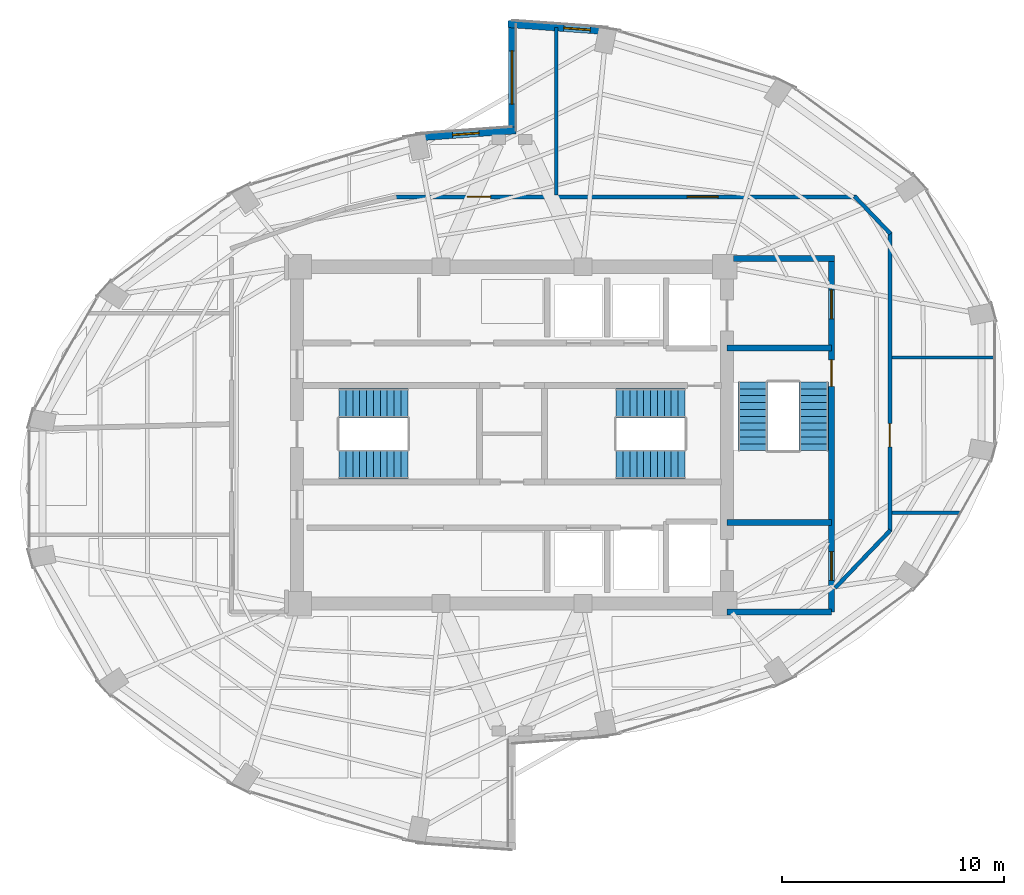
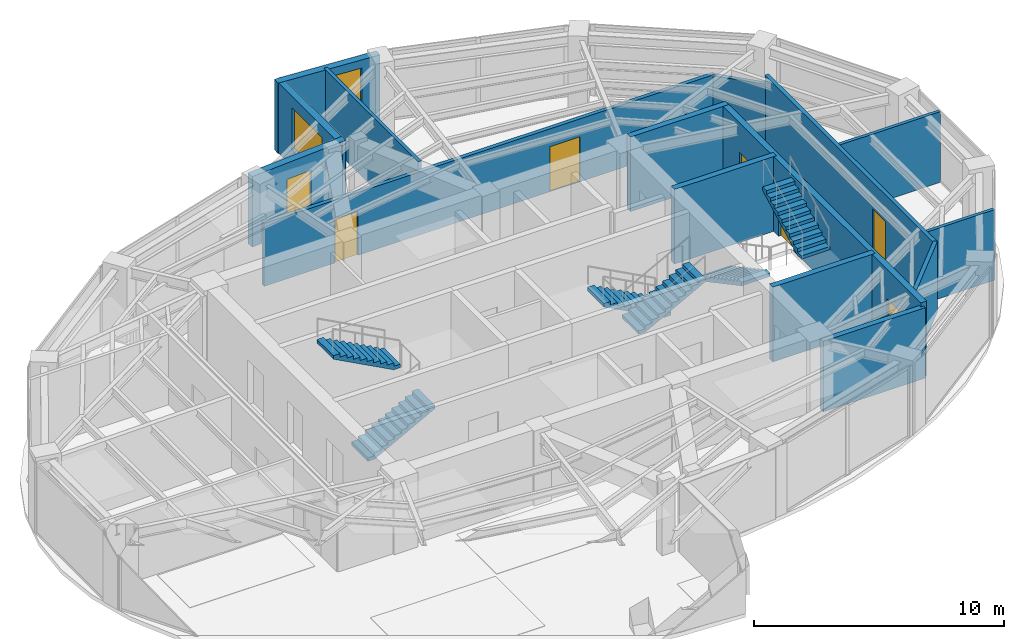
# One storey, part 20 of 22: 15 walls, 6 doors, 6 stair flights, 3 windows, 9 openings, 3 elements without a shape of their own.
"""IFC4 building model written with IfcOpenShell, lengths in metres."""

from ifc_helpers import new_model, si_unit, direction, frame, frame_2d, origin, place, context, subcontext, project, spatial, polyline, rectangle, outline, extrude, material, layer, layer_set, type_object, element, fill, aggregate, save


model = new_model("IFC4")

# Units and contexts
model_context = context("Model", 3, precision=1e-05, world=origin(), true_north=direction((0.0, 1.0)))
body_context = subcontext(model_context, "Body", "Model", "MODEL_VIEW")
ifc_project = project(units=[si_unit("LENGTHUNIT", "METRE"), si_unit("AREAUNIT", "SQUARE_METRE"), si_unit("VOLUMEUNIT", "CUBIC_METRE"), si_unit("PLANEANGLEUNIT", "RADIAN"), si_unit("MASSUNIT", "GRAM", prefix="KILO")], contexts=[model_context])

# Site, building, storey
site_placement = place(None, origin())
site = spatial("IfcSite", under=ifc_project, at=site_placement, CompositionType="ELEMENT")
building_placement = place(site_placement, origin())
building = spatial("IfcBuilding", under=site, at=building_placement, Name="Lazwardi Medical Tower", CompositionType="ELEMENT")
storey_placement = place(building_placement, frame((0.0, 0.0, 227.6640625)))
storey = spatial("IfcBuildingStorey", under=building, at=storey_placement, Name="L59", CompositionType="ELEMENT", Elevation=227.6640625)

# Wall, openings, doors
ifc_material_1 = material(Name="Fire-rated gypsum board on steel stud", Category="steel")
ifc_layer_1 = layer(ifc_material_1, 0.179931640625)
ifc_layer_set_1 = layer_set([ifc_layer_1], Name="Fire-rated gypsum board on steel stud")
wall_type_1 = type_object("IfcWallType", Name="WL-COR-180", PredefinedType="PARTITIONING", material=ifc_layer_set_1)
wall_1_placement = place(storey_placement, frame((30.709716796875, 38.75, 0.0), z_axis=(0.0, 0.0, 1.0), x_axis=(1.0, 0.0, 0.0)))
wall_1 = element("IfcWall", 1, at=wall_1_placement, inside=storey, type_object=wall_type_1, Name="L59 Corridor partition 3", PredefinedType="PARTITIONING", context=body_context, shape_type="SweptSolid", body=[
    extrude(rectangle(XDim=20.8154296875, YDim=0.179931640625, at=frame_2d((10.40771484375, 0.0))), origin(), (0.0, 0.0, 1.0), 3.072998046875),
])
opening_1_placement = place(wall_1_placement, frame((13.19384765625, 0.0, 0.0)))
opening_1 = element("IfcOpeningElement", 2, at=opening_1_placement, cuts=wall_1, Name="Opening D-L59-013", PredefinedType="OPENING", context=body_context, shape_type="SweptSolid", body=[
    extrude(rectangle(XDim=1.39990234375, YDim=2.199951171875, at=frame_2d((0.699951171875, 1.10009765625))), frame((0.0, 0.099853515625, 0.0), z_axis=(0.0, -1.0, 0.0), x_axis=(1.0, 0.0, 0.0)), (0.0, 0.0, 1.0), 0.199951171875),
])
opening_2_placement = place(wall_1_placement, frame((3.279052734375, 0.0, 0.0)))
opening_2 = element("IfcOpeningElement", 3, at=opening_2_placement, cuts=wall_1, Name="Opening D-L59-014", PredefinedType="OPENING", context=body_context, shape_type="SweptSolid", body=[
    extrude(rectangle(XDim=1.050048828125, YDim=2.14990234375, at=frame_2d((0.52490234375, 1.074951171875))), frame((0.0, 0.099853515625, 0.0), z_axis=(0.0, -1.0, 0.0), x_axis=(1.0, 0.0, 0.0)), (0.0, 0.0, 1.0), 0.199951171875),
])
ifc_material_2 = material(Name="Anti-microbial laminate hospital leaf")
door_type_1 = type_object("IfcDoorType", Name="DR-BED-1400", OperationType="NOTDEFINED", PredefinedType="DOOR", material=ifc_material_2)
door_1_placement = place(opening_1_placement, origin())
door_1 = element("IfcDoor", 4, at=door_1_placement, inside=storey, type_object=door_type_1, Name="L59 Patient Day Lounge Door 04", OperationType="SINGLE_SWING_RIGHT", OverallHeight=2.199951171875, OverallWidth=1.39990234375, PredefinedType="DOOR", context=body_context, shape_type="SweptSolid", body=[
    extrude(rectangle(XDim=1.39990234375, YDim=2.199951171875, at=frame_2d((0.699951171875, 1.10009765625))), frame((0.0, 0.02490234375, 0.0), z_axis=(0.0, -1.0, 0.0), x_axis=(1.0, 0.0, 0.0)), (0.0, 0.0, 1.0), 0.050048828125),
])
fill(opening_1, door_1)
door_type_2 = type_object("IfcDoorType", Name="DR-CLN-1050", OperationType="NOTDEFINED", PredefinedType="DOOR", material=ifc_material_2)
door_2_placement = place(opening_2_placement, origin())
door_2 = element("IfcDoor", 5, at=door_2_placement, inside=storey, type_object=door_type_2, Name="L59 Clinical Specialist Office Door 05", OperationType="SINGLE_SWING_LEFT", OverallHeight=2.14990234375, OverallWidth=1.050048828125, PredefinedType="DOOR", context=body_context, shape_type="SweptSolid", body=[
    extrude(rectangle(XDim=1.050048828125, YDim=2.14990234375, at=frame_2d((0.52490234375, 1.074951171875))), frame((0.0, 0.02490234375, 0.0), z_axis=(0.0, -1.0, 0.0), x_axis=(1.0, 0.0, 0.0)), (0.0, 0.0, 1.0), 0.050048828125),
])
fill(opening_2, door_2)

# Wall
wall_2_placement = place(storey_placement, frame((51.45751953125, 38.77880859375, 0.0), z_axis=(0.0, 0.0, 1.0), x_axis=(0.691359830363, -0.722510612352, 0.0)))
element("IfcWall", 6, at=wall_2_placement, inside=storey, type_object=wall_type_1, Name="L59 Corridor partition 4", PredefinedType="PARTITIONING", context=body_context, shape_type="SweptSolid", body=[
    extrude(rectangle(XDim=2.34326171875, YDim=0.179931640625, at=frame_2d((1.171630859375, 0.0))), origin(), (0.0, 0.0, 1.0), 3.032958984375),
])

# Wall, opening, door
wall_3_placement = place(storey_placement, frame((53.050048828125, 37.154541015625, 0.0), z_axis=(0.0, 0.0, 1.0), x_axis=(0.0, -1.0, 0.0)))
wall_3 = element("IfcWall", 7, at=wall_3_placement, inside=storey, type_object=wall_type_1, Name="L59 Corridor partition 5", PredefinedType="PARTITIONING", context=body_context, shape_type="SweptSolid", body=[
    extrude(rectangle(XDim=13.509033203125, YDim=0.179931640625, at=frame_2d((6.75439453125, 0.0))), origin(), (0.0, 0.0, 1.0), 3.447998046875),
])
opening_3_placement = place(wall_3_placement, frame((8.62939453125, 0.0, 0.0)))
opening_3 = element("IfcOpeningElement", 8, at=opening_3_placement, cuts=wall_3, Name="Opening D-L59-012", PredefinedType="OPENING", context=body_context, shape_type="SweptSolid", body=[
    extrude(rectangle(XDim=1.050048828125, YDim=2.14990234375, at=frame_2d((0.52490234375, 1.074951171875))), frame((0.0, 0.099853515625, 0.0), z_axis=(0.0, -1.0, 0.0), x_axis=(1.0, 0.0, 0.0)), (0.0, 0.0, 1.0), 0.199951171875),
])
door_3_placement = place(opening_3_placement, origin())
door_3 = element("IfcDoor", 9, at=door_3_placement, inside=storey, type_object=door_type_2, Name="L59 Outpatient Clinic Door 03", OperationType="SINGLE_SWING_LEFT", OverallHeight=2.14990234375, OverallWidth=1.050048828125, PredefinedType="DOOR", context=body_context, shape_type="SweptSolid", body=[
    extrude(rectangle(XDim=1.050048828125, YDim=2.14990234375, at=frame_2d((0.52490234375, 1.074951171875))), frame((0.0, 0.02490234375, 0.0), z_axis=(0.0, -1.0, 0.0), x_axis=(1.0, 0.0, 0.0)), (0.0, 0.0, 1.0), 0.050048828125),
])
fill(opening_3, door_3)

# Wall
wall_4_placement = place(storey_placement, frame((53.07763671875, 23.71435546875, 0.0), z_axis=(0.0, 0.0, 1.0), x_axis=(-0.691353379446, -0.722516785085, 0.0)))
element("IfcWall", 10, at=wall_4_placement, inside=storey, type_object=wall_type_1, Name="L59 Corridor partition 6", PredefinedType="PARTITIONING", context=body_context, shape_type="SweptSolid", body=[
    extrude(rectangle(XDim=3.603759765625, YDim=0.179931640625, at=frame_2d((1.8017578125, 0.0))), origin(), (0.0, 0.0, 1.0), 3.447998046875),
])

# Wall, opening, window
ifc_material_3 = material(Name="Precast concrete C45/55", Category="concrete")
ifc_layer_2 = layer(ifc_material_3, 0.320068359375)
ifc_layer_set_2 = layer_set([ifc_layer_2], Name="Precast concrete C45/55")
wall_type_2 = type_object("IfcWallType", Name="WL-IWAN-320", PredefinedType="SOLIDWALL", material=ifc_layer_set_2)
wall_5_placement = place(storey_placement, frame((40.349609375, 46.226318359375, 0.0), z_axis=(0.0, 0.0, 1.0), x_axis=(-0.997409061056, 0.071938619141, 0.0)))
wall_5 = element("IfcWall", 11, at=wall_5_placement, inside=storey, type_object=wall_type_2, Name="L59 Iwan Portal Return Wall NE_ret", PredefinedType="SOLIDWALL", context=body_context, shape_type="SweptSolid", body=[
    extrude(rectangle(XDim=4.540771484375, YDim=0.320068359375, at=frame_2d((2.2705078125, 0.0))), origin(), (0.0, 0.0, 1.0), 3.447998046875),
])
opening_4_placement = place(wall_5_placement, frame((0.814697265625, 0.0, 0.85009765625)))
opening_4 = element("IfcOpeningElement", 12, at=opening_4_placement, cuts=wall_5, Name="Opening WN-01", PredefinedType="OPENING", context=body_context, shape_type="SweptSolid", body=[
    extrude(rectangle(XDim=1.199951171875, YDim=2.199951171875, at=frame_2d((0.60009765625, 1.10009765625))), frame((0.0, 0.169921875, 0.0), z_axis=(0.0, -1.0, 0.0), x_axis=(1.0, 0.0, 0.0)), (0.0, 0.0, 1.0), 0.340087890625),
])
ifc_material_4 = material(Name="Low-e bronze solar control double glazing", Category="glass")
window_type_1 = type_object("IfcWindowType", Name="WIN-IW-1200", PartitioningType="SINGLE_PANEL", PredefinedType="WINDOW", material=ifc_material_4)
window_1_placement = place(opening_4_placement, origin())
window_1 = element("IfcWindow", 13, at=window_1_placement, inside=storey, type_object=window_type_1, Name="L59 Iwan Slot Window NE_ret", OverallHeight=2.199951171875, OverallWidth=1.199951171875, PartitioningType="SINGLE_PANEL", PredefinedType="WINDOW", context=body_context, shape_type="SweptSolid", body=[
    extrude(rectangle(XDim=1.199951171875, YDim=2.199951171875, at=frame_2d((0.60009765625, 1.10009765625))), frame((0.0, 0.030029296875, 0.0), z_axis=(0.0, -1.0, 0.0), x_axis=(1.0, 0.0, 0.0)), (0.0, 0.0, 1.0), 0.06005859375),
])
fill(opening_4, window_1)

wall_6_placement = place(storey_placement, frame((36.17919921875, 41.7529296875, 0.0), z_axis=(0.0, 0.0, 1.0), x_axis=(-0.997408782787, -0.071942477163, 0.0)))
wall_6 = element("IfcWall", 14, at=wall_6_placement, inside=storey, type_object=wall_type_2, Name="L59 Iwan Portal Return Wall NW_ret", PredefinedType="SOLIDWALL", context=body_context, shape_type="SweptSolid", body=[
    extrude(rectangle(XDim=4.54052734375, YDim=0.320068359375, at=frame_2d((2.270263671875, 0.0))), origin(), (0.0, 0.0, 1.0), 3.447998046875),
])
opening_5_placement = place(wall_6_placement, frame((1.67041015625, 0.0, 0.85009765625)))
opening_5 = element("IfcOpeningElement", 15, at=opening_5_placement, cuts=wall_6, Name="Opening WN-04", PredefinedType="OPENING", context=body_context, shape_type="SweptSolid", body=[
    extrude(rectangle(XDim=1.199951171875, YDim=1.800048828125, at=frame_2d((0.60009765625, 0.89990234375))), frame((0.0, 0.169921875, 0.0), z_axis=(0.0, -1.0, 0.0), x_axis=(1.0, 0.0, 0.0)), (0.0, 0.0, 1.0), 0.340087890625),
])
window_type_2 = type_object("IfcWindowType", Name="WIN-DRUM-1200", PartitioningType="SINGLE_PANEL", PredefinedType="WINDOW", material=ifc_material_4)
window_2_placement = place(opening_5_placement, origin())
window_2 = element("IfcWindow", 16, at=window_2_placement, inside=storey, type_object=window_type_2, Name="L59 Iwan Slot Window NW_ret", OverallHeight=1.800048828125, OverallWidth=1.199951171875, PartitioningType="SINGLE_PANEL", PredefinedType="WINDOW", context=body_context, shape_type="SweptSolid", body=[
    extrude(rectangle(XDim=1.199951171875, YDim=1.800048828125, at=frame_2d((0.60009765625, 0.89990234375))), frame((0.0, 0.030029296875, 0.0), z_axis=(0.0, -1.0, 0.0), x_axis=(1.0, 0.0, 0.0)), (0.0, 0.0, 1.0), 0.06005859375),
])
fill(opening_5, window_2)

wall_7_placement = place(storey_placement, frame((36.0, 46.699951171875, 0.0), z_axis=(0.0, 0.0, 1.0), x_axis=(0.0, -1.0, 0.0)))
wall_7 = element("IfcWall", 17, at=wall_7_placement, inside=storey, type_object=wall_type_2, Name="L59 Turquoise Tilework Iwan Seam Wall N_seam", PredefinedType="SOLIDWALL", context=body_context, shape_type="SweptSolid", body=[
    extrude(rectangle(XDim=5.119873046875, YDim=0.320068359375, at=frame_2d((2.56005859375, 0.0))), origin(), (0.0, 0.0, 1.0), 3.447998046875),
])
opening_6_placement = place(wall_7_placement, frame((1.360107421875, 0.0, 0.840087890625)))
opening_6 = element("IfcOpeningElement", 18, at=opening_6_placement, cuts=wall_7, Name="Opening WN-02", PredefinedType="OPENING", context=body_context, shape_type="SweptSolid", body=[
    extrude(rectangle(XDim=2.39990234375, YDim=2.0400390625, at=frame_2d((1.199951171875, 1.02001953125))), frame((0.0, 0.169921875, 0.0), z_axis=(0.0, -1.0, 0.0), x_axis=(1.0, 0.0, 0.0)), (0.0, 0.0, 1.0), 0.340087890625),
])
window_type_3 = type_object("IfcWindowType", Name="WIN-IW-2400", PartitioningType="SINGLE_PANEL", PredefinedType="WINDOW", material=ifc_material_4)
window_3_placement = place(opening_6_placement, origin())
window_3 = element("IfcWindow", 19, at=window_3_placement, inside=storey, type_object=window_type_3, Name="L59 Iwan Seam Window N_seam", OverallHeight=2.0400390625, OverallWidth=2.39990234375, PartitioningType="SINGLE_PANEL", PredefinedType="WINDOW", context=body_context, shape_type="SweptSolid", body=[
    extrude(rectangle(XDim=2.39990234375, YDim=2.0400390625, at=frame_2d((1.199951171875, 1.02001953125))), frame((0.0, 0.030029296875, 0.0), z_axis=(0.0, -1.0, 0.0), x_axis=(1.0, 0.0, 0.0)), (0.0, 0.0, 1.0), 0.06005859375),
])
fill(opening_6, window_3)

# Wall
ifc_material_5 = material(Name="Autoclaved aerated concrete blockwork", Category="masonry")
ifc_layer_3 = layer(ifc_material_5, 0.25)
ifc_layer_set_3 = layer_set([ifc_layer_3], Name="Autoclaved aerated concrete blockwork")
wall_type_3 = type_object("IfcWallType", Name="WL-SHAFT-250", PredefinedType="SOLIDWALL", material=ifc_layer_set_3)
wall_8_placement = place(storey_placement, frame((45.699951171875, 20.02001953125, 0.0), z_axis=(0.0, 0.0, 1.0), x_axis=(1.0, 0.0, 0.0)))
element("IfcWall", 20, at=wall_8_placement, inside=storey, type_object=wall_type_3, Name="L59 FFL-S South wall", PredefinedType="SOLIDWALL", context=body_context, shape_type="SweptSolid", body=[
    extrude(rectangle(XDim=4.715087890625, YDim=0.25, at=frame_2d((2.357421875, 0.0))), origin(), (0.0, 0.0, 1.0), 3.447998046875),
])

# Wall, openings, doors
ifc_material_6 = material(Name="Concrete C50/60", Category="concrete")
ifc_layer_4 = layer(ifc_material_6, 0.27001953125)
ifc_layer_set_4 = layer_set([ifc_layer_4], Name="Concrete C50/60")
wall_type_4 = type_object("IfcWallType", Name="WL-STR-250", PredefinedType="SHEAR", material=ifc_layer_set_4)
wall_9_placement = place(storey_placement, frame((50.4150390625, 35.844970703125, 0.0), z_axis=(0.0, 0.0, 1.0), x_axis=(0.0, -1.0, 0.0)))
wall_9 = element("IfcWall", 21, at=wall_9_placement, inside=storey, type_object=wall_type_4, Name="L59 East ST3 & FFL shear wall SW-S1", PredefinedType="SHEAR", context=body_context, shape_type="SweptSolid", body=[
    extrude(rectangle(XDim=15.824951171875, YDim=0.27001953125, at=frame_2d((7.91259765625, 0.0))), origin(), (0.0, 0.0, 1.0), 3.64794921875),
])
opening_7_placement = place(wall_9_placement, frame((4.445068359375, 0.0, 0.0)))
opening_7 = element("IfcOpeningElement", 22, at=opening_7_placement, cuts=wall_9, Name="Opening D-L59-018", PredefinedType="OPENING", context=body_context, shape_type="SweptSolid", body=[
    extrude(rectangle(XDim=1.199951171875, YDim=2.14990234375, at=frame_2d((0.60009765625, 1.074951171875))), frame((0.0, 0.14501953125, 0.0), z_axis=(0.0, -1.0, 0.0), x_axis=(1.0, 0.0, 0.0)), (0.0, 0.0, 1.0), 0.2900390625),
])
opening_8_placement = place(wall_9_placement, frame((1.294921875, 0.0, 0.0)))
opening_8 = element("IfcOpeningElement", 23, at=opening_8_placement, cuts=wall_9, Name="Opening D-L59-006", PredefinedType="OPENING", context=body_context, shape_type="SweptSolid", body=[
    extrude(rectangle(XDim=1.300048828125, YDim=2.199951171875, at=frame_2d((0.64990234375, 1.10009765625))), frame((0.0, 0.14501953125, 0.0), z_axis=(0.0, -1.0, 0.0), x_axis=(1.0, 0.0, 0.0)), (0.0, 0.0, 1.0), 0.2900390625),
])
opening_9_placement = place(wall_9_placement, frame((13.094970703125, 0.0, 0.0)))
opening_9 = element("IfcOpeningElement", 24, at=opening_9_placement, cuts=wall_9, Name="Opening D-L59-007", PredefinedType="OPENING", context=body_context, shape_type="SweptSolid", body=[
    extrude(rectangle(XDim=1.300048828125, YDim=2.199951171875, at=frame_2d((0.64990234375, 1.10009765625))), frame((0.0, 0.14501953125, 0.0), z_axis=(0.0, -1.0, 0.0), x_axis=(1.0, 0.0, 0.0)), (0.0, 0.0, 1.0), 0.2900390625),
])
ifc_material_7 = material(Name="Fire-rated steel leaf and frame", Category="steel")
door_type_3 = type_object("IfcDoorType", Name="DR-FFL-1300", OperationType="NOTDEFINED", PredefinedType="DOOR", material=ifc_material_7)
door_4_placement = place(opening_8_placement, origin())
door_4 = element("IfcDoor", 25, at=door_4_placement, inside=storey, type_object=door_type_3, Name="L59 Fire-Fighting Lobby North Door", OperationType="SINGLE_SWING_LEFT", OverallHeight=2.199951171875, OverallWidth=1.300048828125, PredefinedType="DOOR", context=body_context, shape_type="SweptSolid", body=[
    extrude(rectangle(XDim=1.300048828125, YDim=2.199951171875, at=frame_2d((0.64990234375, 1.10009765625))), frame((0.0, 0.02490234375, 0.0), z_axis=(0.0, -1.0, 0.0), x_axis=(1.0, 0.0, 0.0)), (0.0, 0.0, 1.0), 0.050048828125),
])
fill(opening_8, door_4)
door_5_placement = place(opening_9_placement, origin())
door_5 = element("IfcDoor", 26, at=door_5_placement, inside=storey, type_object=door_type_3, Name="L59 Fire-Fighting Lobby South Door", OperationType="SINGLE_SWING_RIGHT", OverallHeight=2.199951171875, OverallWidth=1.300048828125, PredefinedType="DOOR", context=body_context, shape_type="SweptSolid", body=[
    extrude(rectangle(XDim=1.300048828125, YDim=2.199951171875, at=frame_2d((0.64990234375, 1.10009765625))), frame((0.0, 0.02490234375, 0.0), z_axis=(0.0, -1.0, 0.0), x_axis=(1.0, 0.0, 0.0)), (0.0, 0.0, 1.0), 0.050048828125),
])
fill(opening_9, door_5)
door_type_4 = type_object("IfcDoorType", Name="DR-STR-1200", OperationType="NOTDEFINED", PredefinedType="DOOR", material=ifc_material_7)
door_6_placement = place(opening_7_placement, origin())
door_6 = element("IfcDoor", 27, at=door_6_placement, inside=storey, type_object=door_type_4, Name="L59 Exit Stair ST3 Door", OperationType="SINGLE_SWING_RIGHT", OverallHeight=2.14990234375, OverallWidth=1.199951171875, PredefinedType="DOOR", context=body_context, shape_type="SweptSolid", body=[
    extrude(rectangle(XDim=1.199951171875, YDim=2.14990234375, at=frame_2d((0.60009765625, 1.074951171875))), frame((0.0, 0.02490234375, 0.0), z_axis=(0.0, -1.0, 0.0), x_axis=(1.0, 0.0, 0.0)), (0.0, 0.0, 1.0), 0.050048828125),
])
fill(opening_7, door_6)

# Walls
wall_10_placement = place(storey_placement, frame((46.0, 35.97998046875, 0.0), z_axis=(0.0, 0.0, 1.0), x_axis=(1.0, 0.0, 0.0)))
element("IfcWall", 28, at=wall_10_placement, inside=storey, type_object=wall_type_4, Name="L59 FFL-N North shear wall SW-S1", PredefinedType="SHEAR", context=body_context, shape_type="SweptSolid", body=[
    extrude(rectangle(XDim=4.550048828125, YDim=0.27001953125, at=frame_2d((2.27490234375, 0.0))), origin(), (0.0, 0.0, 1.0), 3.64794921875),
])
for number, where, z_axis, x_axis, name in (
    (29, (45.699951171875, 31.93505859375, 0.0), (0.0, 0.0, 1.0), (1.0, 0.0, 0.0), "L59 ST3 North shear shaft wall SW-S1"),
    (30, (45.699951171875, 24.06494140625, 0.0), (0.0, 0.0, 1.0), (1.0, 0.0, 0.0), "L59 ST3 South shear shaft wall SW-S1"),
):
    element("IfcWall", number, at=place(storey_placement, frame(where, z_axis=z_axis, x_axis=x_axis)), inside=storey, type_object=wall_type_4, Name=name, PredefinedType="SHEAR", context=body_context, shape_type="SweptSolid", body=[
        extrude(rectangle(XDim=4.715087890625, YDim=0.27001953125, at=frame_2d((2.357421875, 0.0))), origin(), (0.0, 0.0, 1.0), 3.64794921875),
    ])
ifc_material_8 = material(Name="Acoustic gypsum board partition")
ifc_layer_5 = layer(ifc_material_8, 0.14990234375)
ifc_layer_set_5 = layer_set([ifc_layer_5], Name="Acoustic gypsum board partition")
wall_type_5 = type_object("IfcWallType", Name="WL-WRD-150", PredefinedType="PARTITIONING", material=ifc_layer_set_5)
wall_11_placement = place(storey_placement, frame((53.139892578125, 24.5, 0.0), z_axis=(0.0, 0.0, 1.0), x_axis=(1.0, 0.0, 0.0)))
element("IfcWall", 31, at=wall_11_placement, inside=storey, type_object=wall_type_5, Name="L59 Room partition 4", PredefinedType="PARTITIONING", context=body_context, shape_type="SweptSolid", body=[
    extrude(rectangle(XDim=3.09521484375, YDim=0.14990234375, at=frame_2d((1.547607421875, 0.0))), origin(), (0.0, 0.0, 1.0), 3.447998046875),
])
wall_12_placement = place(storey_placement, frame((53.139892578125, 31.5, 0.0), z_axis=(0.0, 0.0, 1.0), x_axis=(1.0, 0.0, 0.0)))
element("IfcWall", 32, at=wall_12_placement, inside=storey, type_object=wall_type_5, Name="L59 Room partition 5", PredefinedType="PARTITIONING", context=body_context, shape_type="SweptSolid", body=[
    extrude(rectangle(XDim=4.6318359375, YDim=0.14990234375, at=frame_2d((2.31591796875, 0.0))), origin(), (0.0, 0.0, 1.0), 3.447998046875),
])
wall_13_placement = place(storey_placement, frame((38.0, 38.840087890625, 0.0), z_axis=(0.0, 0.0, 1.0), x_axis=(0.0, 1.0, 0.0)))
element("IfcWall", 33, at=wall_13_placement, inside=storey, type_object=wall_type_5, Name="L59 Room partition 6", PredefinedType="PARTITIONING", context=body_context, shape_type="SweptSolid", body=[
    extrude(rectangle(XDim=7.543212890625, YDim=0.14990234375, at=frame_2d((3.771484375, 0.0))), origin(), (0.0, 0.0, 1.0), 3.447998046875),
])

# Stair, stair flights
ifc_material_9 = material(Name="Concrete C45/55", Category="concrete")
stair_type = type_object("IfcStairType", Name="STR-WRD", PredefinedType="HALF_TURN_STAIR", material=ifc_material_9)
stair_1_placement = place(storey_placement, origin())
stair_1 = element("IfcStair", 34, at=stair_1_placement, inside=storey, type_object=stair_type, Name="L59 Protected Exit Stair ST1", PredefinedType="HALF_TURN_STAIR")
stair_flight_type = type_object("IfcStairFlightType", Name="FLT-WRD", PredefinedType="STRAIGHT", material=ifc_material_9)
stair_flight_1_placement = place(storey_placement, frame((28.199951171875, 26.679931640625, 0.0), z_axis=(0.0, 0.0, 1.0), x_axis=(1.0, 0.0, 0.0)))
stair_flight_1 = element("IfcStairFlight", 35, at=stair_flight_1_placement, type_object=stair_flight_type, Name="ST1 flight 1", NumberOfRisers=11, NumberOfTreads=10, PredefinedType="STRAIGHT", RiserHeight=0.165818182, TreadLength=0.31, context=body_context, shape_type="SweptSolid", body=[
    extrude(outline(polyline([(0.0, 0.0), (0.0, 0.165771484375), (0.31005859375, 0.165771484375), (0.31005859375, 0.33154296875), (0.6201171875, 0.33154296875), (0.6201171875, 0.49755859375), (0.929931640625, 0.49755859375), (0.929931640625, 0.663330078125), (1.239990234375, 0.663330078125), (1.239990234375, 0.8291015625), (1.550048828125, 0.8291015625), (1.550048828125, 0.994873046875), (1.860107421875, 0.994873046875), (1.860107421875, 1.16064453125), (2.169921875, 1.16064453125), (2.169921875, 1.32666015625), (2.47998046875, 1.32666015625), (2.47998046875, 1.492431640625), (2.7900390625, 1.492431640625), (2.7900390625, 1.658203125), (3.10009765625, 1.658203125), (3.10009765625, 1.823974609375), (3.10009765625, 1.48828125), (0.31787109375, 0.0), (0.0, 0.0)])), frame((0.0, 0.66015625, 0.0), z_axis=(0.0, -1.0, 0.0), x_axis=(1.0, 0.0, 0.0)), (0.0, 0.0, 1.0), 1.320068359375),
])
stair_flight_2_placement = place(storey_placement, frame((31.300048828125, 29.43994140625, 1.823974609375), z_axis=(0.0, 0.0, 1.0), x_axis=(-1.0, 0.0, 0.0)))
stair_flight_2 = element("IfcStairFlight", 36, at=stair_flight_2_placement, type_object=stair_flight_type, Name="ST1 flight 2", NumberOfRisers=11, NumberOfTreads=10, PredefinedType="STRAIGHT", RiserHeight=0.165818182, TreadLength=0.31, context=body_context, shape_type="SweptSolid", body=[
    extrude(outline(polyline([(0.0, 0.0), (0.0, 0.165771484375), (0.31005859375, 0.165771484375), (0.31005859375, 0.33154296875), (0.6201171875, 0.33154296875), (0.6201171875, 0.49755859375), (0.929931640625, 0.49755859375), (0.929931640625, 0.663330078125), (1.239990234375, 0.663330078125), (1.239990234375, 0.8291015625), (1.550048828125, 0.8291015625), (1.550048828125, 0.994873046875), (1.860107421875, 0.994873046875), (1.860107421875, 1.16064453125), (2.169921875, 1.16064453125), (2.169921875, 1.32666015625), (2.47998046875, 1.32666015625), (2.47998046875, 1.492431640625), (2.7900390625, 1.492431640625), (2.7900390625, 1.658203125), (3.10009765625, 1.658203125), (3.10009765625, 1.823974609375), (3.10009765625, 1.48828125), (0.31787109375, 0.0), (0.0, 0.0)])), frame((0.0, 0.66015625, 0.0), z_axis=(0.0, -1.0, 0.0), x_axis=(1.0, 0.0, 0.0)), (0.0, 0.0, 1.0), 1.320068359375),
])
aggregate(stair_1, [stair_flight_1, stair_flight_2])

stair_2_placement = place(storey_placement, origin())
stair_2 = element("IfcStair", 37, at=stair_2_placement, inside=storey, type_object=stair_type, Name="L59 Protected Exit Stair ST2", PredefinedType="HALF_TURN_STAIR")
stair_flight_3_placement = place(storey_placement, frame((43.800048828125, 29.43994140625, 0.0), z_axis=(0.0, 0.0, 1.0), x_axis=(-1.0, 0.0, 0.0)))
stair_flight_3 = element("IfcStairFlight", 38, at=stair_flight_3_placement, type_object=stair_flight_type, Name="ST2 flight 1", NumberOfRisers=11, NumberOfTreads=10, PredefinedType="STRAIGHT", RiserHeight=0.165818182, TreadLength=0.31, context=body_context, shape_type="SweptSolid", body=[
    extrude(outline(polyline([(0.0, 0.0), (0.0, 0.165771484375), (0.31005859375, 0.165771484375), (0.31005859375, 0.33154296875), (0.6201171875, 0.33154296875), (0.6201171875, 0.49755859375), (0.929931640625, 0.49755859375), (0.929931640625, 0.663330078125), (1.239990234375, 0.663330078125), (1.239990234375, 0.8291015625), (1.550048828125, 0.8291015625), (1.550048828125, 0.994873046875), (1.860107421875, 0.994873046875), (1.860107421875, 1.16064453125), (2.169921875, 1.16064453125), (2.169921875, 1.32666015625), (2.47998046875, 1.32666015625), (2.47998046875, 1.492431640625), (2.7900390625, 1.492431640625), (2.7900390625, 1.658203125), (3.10009765625, 1.658203125), (3.10009765625, 1.823974609375), (3.10009765625, 1.48828125), (0.31787109375, 0.0), (0.0, 0.0)])), frame((0.0, 0.66015625, 0.0), z_axis=(0.0, -1.0, 0.0), x_axis=(1.0, 0.0, 0.0)), (0.0, 0.0, 1.0), 1.320068359375),
])
stair_flight_4_placement = place(storey_placement, frame((40.699951171875, 26.679931640625, 1.823974609375), z_axis=(0.0, 0.0, 1.0), x_axis=(1.0, 0.0, 0.0)))
stair_flight_4 = element("IfcStairFlight", 39, at=stair_flight_4_placement, type_object=stair_flight_type, Name="ST2 flight 2", NumberOfRisers=11, NumberOfTreads=10, PredefinedType="STRAIGHT", RiserHeight=0.165818182, TreadLength=0.31, context=body_context, shape_type="SweptSolid", body=[
    extrude(outline(polyline([(0.0, 0.0), (0.0, 0.165771484375), (0.31005859375, 0.165771484375), (0.31005859375, 0.33154296875), (0.6201171875, 0.33154296875), (0.6201171875, 0.49755859375), (0.929931640625, 0.49755859375), (0.929931640625, 0.663330078125), (1.239990234375, 0.663330078125), (1.239990234375, 0.8291015625), (1.550048828125, 0.8291015625), (1.550048828125, 0.994873046875), (1.860107421875, 0.994873046875), (1.860107421875, 1.16064453125), (2.169921875, 1.16064453125), (2.169921875, 1.32666015625), (2.47998046875, 1.32666015625), (2.47998046875, 1.492431640625), (2.7900390625, 1.492431640625), (2.7900390625, 1.658203125), (3.10009765625, 1.658203125), (3.10009765625, 1.823974609375), (3.10009765625, 1.48828125), (0.31787109375, 0.0), (0.0, 0.0)])), frame((0.0, 0.66015625, 0.0), z_axis=(0.0, -1.0, 0.0), x_axis=(1.0, 0.0, 0.0)), (0.0, 0.0, 1.0), 1.320068359375),
])
aggregate(stair_2, [stair_flight_3, stair_flight_4])

stair_3_placement = place(storey_placement, origin())
stair_3 = element("IfcStair", 40, at=stair_3_placement, inside=storey, type_object=stair_type, Name="L59 Protected Exit Stair ST3", PredefinedType="HALF_TURN_STAIR")
stair_flight_5_placement = place(storey_placement, frame((46.860107421875, 30.39990234375, 0.0), z_axis=(0.0, 0.0, 1.0), x_axis=(0.0, -1.0, 0.0)))
stair_flight_5 = element("IfcStairFlight", 41, at=stair_flight_5_placement, type_object=stair_flight_type, Name="ST3 flight 1", NumberOfRisers=11, NumberOfTreads=10, PredefinedType="STRAIGHT", RiserHeight=0.165818182, TreadLength=0.31, context=body_context, shape_type="SweptSolid", body=[
    extrude(outline(polyline([(0.0, 0.0), (0.0, 0.165771484375), (0.31005859375, 0.165771484375), (0.31005859375, 0.33154296875), (0.6201171875, 0.33154296875), (0.6201171875, 0.49755859375), (0.929931640625, 0.49755859375), (0.929931640625, 0.663330078125), (1.239990234375, 0.663330078125), (1.239990234375, 0.8291015625), (1.550048828125, 0.8291015625), (1.550048828125, 0.994873046875), (1.860107421875, 0.994873046875), (1.860107421875, 1.16064453125), (2.169921875, 1.16064453125), (2.169921875, 1.32666015625), (2.47998046875, 1.32666015625), (2.47998046875, 1.492431640625), (2.7900390625, 1.492431640625), (2.7900390625, 1.658203125), (3.10009765625, 1.658203125), (3.10009765625, 1.823974609375), (3.10009765625, 1.48828125), (0.31787109375, 0.0), (0.0, 0.0)])), frame((0.0, 0.66015625, 0.0), z_axis=(0.0, -1.0, 0.0), x_axis=(1.0, 0.0, 0.0)), (0.0, 0.0, 1.0), 1.320068359375),
])
stair_flight_6_placement = place(storey_placement, frame((49.6201171875, 27.300048828125, 1.823974609375), z_axis=(0.0, 0.0, 1.0), x_axis=(0.0, 1.0, 0.0)))
stair_flight_6 = element("IfcStairFlight", 42, at=stair_flight_6_placement, type_object=stair_flight_type, Name="ST3 flight 2", NumberOfRisers=11, NumberOfTreads=10, PredefinedType="STRAIGHT", RiserHeight=0.165818182, TreadLength=0.31, context=body_context, shape_type="SweptSolid", body=[
    extrude(outline(polyline([(0.0, 0.0), (0.0, 0.165771484375), (0.31005859375, 0.165771484375), (0.31005859375, 0.33154296875), (0.6201171875, 0.33154296875), (0.6201171875, 0.49755859375), (0.929931640625, 0.49755859375), (0.929931640625, 0.663330078125), (1.239990234375, 0.663330078125), (1.239990234375, 0.8291015625), (1.550048828125, 0.8291015625), (1.550048828125, 0.994873046875), (1.860107421875, 0.994873046875), (1.860107421875, 1.16064453125), (2.169921875, 1.16064453125), (2.169921875, 1.32666015625), (2.47998046875, 1.32666015625), (2.47998046875, 1.492431640625), (2.7900390625, 1.492431640625), (2.7900390625, 1.658203125), (3.10009765625, 1.658203125), (3.10009765625, 1.823974609375), (3.10009765625, 1.48828125), (0.31787109375, 0.0), (0.0, 0.0)])), frame((0.0, 0.66015625, 0.0), z_axis=(0.0, -1.0, 0.0), x_axis=(1.0, 0.0, 0.0)), (0.0, 0.0, 1.0), 1.320068359375),
])
aggregate(stair_3, [stair_flight_5, stair_flight_6])

save(model, "model.ifc")
